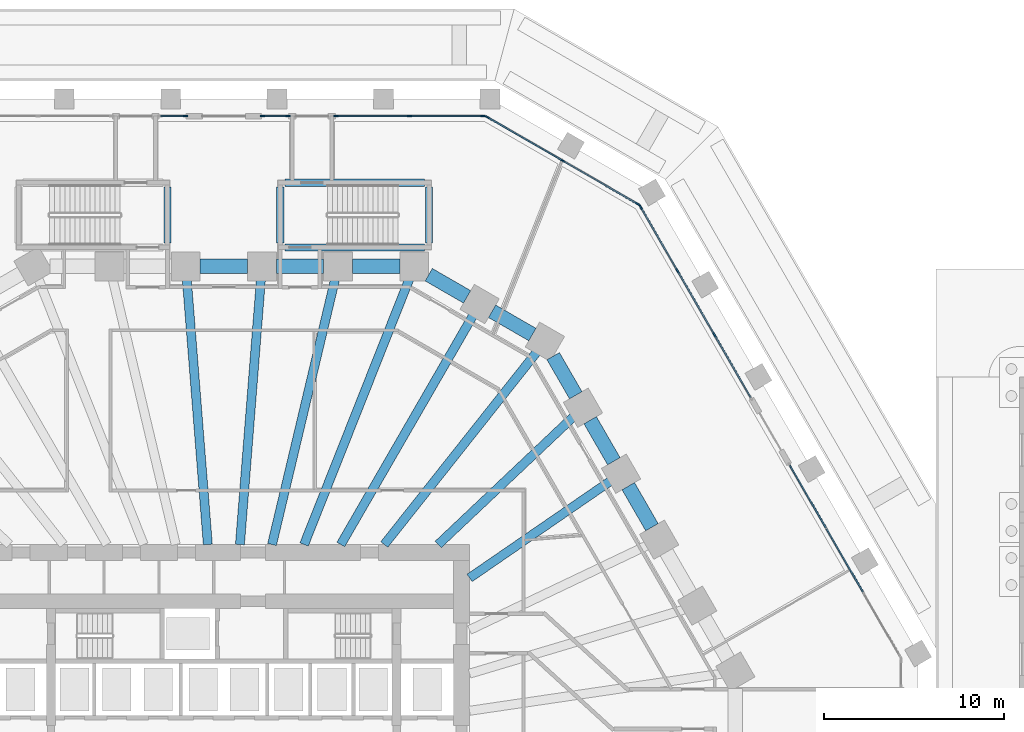
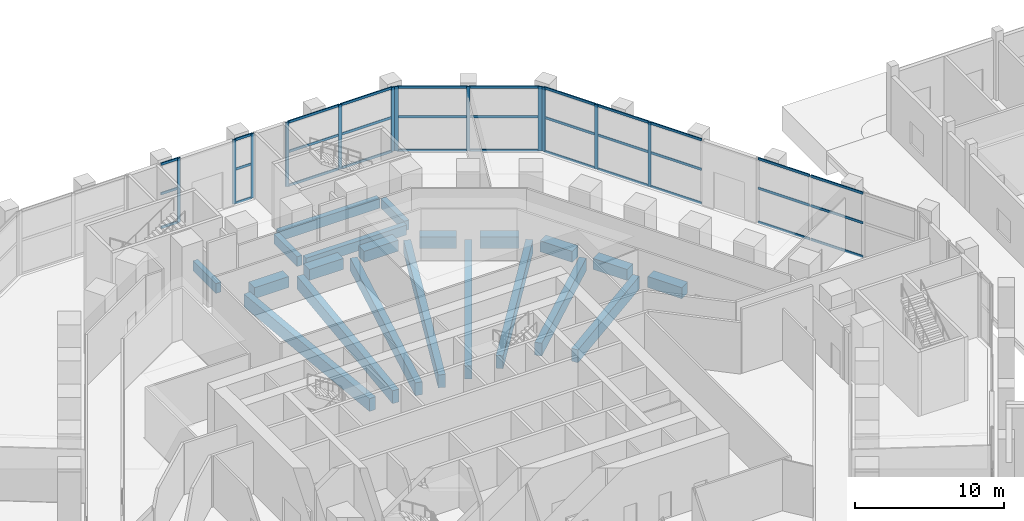
# One storey, part 9 of 44: 45 members, 21 beams, 6 elements without a shape of their own.
"""IFC4 building model written with IfcOpenShell, lengths in metres."""

from ifc_helpers import new_model, si_unit, direction, frame, origin, origin_2d, place, context, subcontext, project, spatial, rectangle, extrude, material, material_profile, profile_set, type_object, element, aggregate, save


model = new_model("IFC4")

# Units and contexts
model_context = context("Model", 3, precision=1e-05, world=origin(), true_north=direction((0.0, 1.0)))
body_context = subcontext(model_context, "Body", "Model", "MODEL_VIEW")
ifc_project = project(units=[si_unit("LENGTHUNIT", "METRE"), si_unit("AREAUNIT", "SQUARE_METRE"), si_unit("VOLUMEUNIT", "CUBIC_METRE"), si_unit("PLANEANGLEUNIT", "RADIAN"), si_unit("MASSUNIT", "GRAM", prefix="KILO")], contexts=[model_context])

# Site, building, storey
site_placement = place(None, origin())
site = spatial("IfcSite", under=ifc_project, at=site_placement, CompositionType="ELEMENT")
building_placement = place(site_placement, origin())
building = spatial("IfcBuilding", under=site, at=building_placement, Name="Frailejon Research Tower", CompositionType="ELEMENT")
storey_placement = place(building_placement, origin())
storey = spatial("IfcBuildingStorey", under=building, at=storey_placement, Name="L00", CompositionType="ELEMENT", Elevation=0.0)

# Beams
ifc_material_1 = material(Name="Concrete C60/75", Category="concrete")
ifc_material_profile_1 = material_profile(ifc_material_1, rectangle(XDim=0.5, YDim=1.050048828125, at=origin_2d()), Name="Girder 500x1050")
ifc_profile_set_1 = profile_set([ifc_material_profile_1], Name="Concrete C60/75")
beam_type_1 = type_object("IfcBeamType", Name="Girder 500x1050", PredefinedType="BEAM", material=ifc_profile_set_1)
beam_1_placement = place(storey_placement, frame((21.52734375, 14.8125, -0.875), z_axis=(-0.823825821578, -0.566843025626, 0.0), x_axis=(0.566843025626, -0.823825821578, 0.0)))
element("IfcBeam", 1, at=beam_1_placement, inside=storey, type_object=beam_type_1, Name="Girder 500x1050", PredefinedType="BEAM", context=body_context, shape_type="SweptSolid", body=[
    extrude(rectangle(XDim=0.5, YDim=1.050048828125, at=origin_2d()), origin(), (0.0, 0.0, 1.0), 9.56201171875),
])
beam_2_placement = place(storey_placement, frame((19.460205078125, 18.3857421875, -0.875), z_axis=(-0.72688803019, -0.686755991285, 0.0), x_axis=(0.686755991285, -0.72688803019, 0.0)))
element("IfcBeam", 2, at=beam_2_placement, inside=storey, type_object=beam_type_1, Name="Girder 500x1050", PredefinedType="BEAM", context=body_context, shape_type="SweptSolid", body=[
    extrude(rectangle(XDim=0.5, YDim=1.050048828125, at=origin_2d()), origin(), (0.0, 0.0, 1.0), 10.390625),
])
beam_3_placement = place(storey_placement, frame((17.423828125, 21.99609375, -0.875), z_axis=(-0.62092187156, -0.783872457367, 0.0), x_axis=(0.783872457367, -0.62092187156, 0.0)))
element("IfcBeam", 3, at=beam_3_placement, inside=storey, type_object=beam_type_1, Name="Girder 500x1050", PredefinedType="BEAM", context=body_context, shape_type="SweptSolid", body=[
    extrude(rectangle(XDim=0.5, YDim=1.050048828125, at=origin_2d()), origin(), (0.0, 0.0, 1.0), 13.708984375),
])
beam_4_placement = place(storey_placement, frame((13.88134765625, 24.043212890625, -0.875), z_axis=(-0.500003328639, -0.866023481986, 0.0), x_axis=(0.866023481986, -0.500003328639, 0.0)))
element("IfcBeam", 4, at=beam_4_placement, inside=storey, type_object=beam_type_1, Name="Girder 500x1050", PredefinedType="BEAM", context=body_context, shape_type="SweptSolid", body=[
    extrude(rectangle(XDim=0.5, YDim=1.050048828125, at=origin_2d()), origin(), (0.0, 0.0, 1.0), 14.7724609375),
])
beam_5_placement = place(storey_placement, frame((10.318115234375, 26.03955078125, -0.875), z_axis=(-0.368382887996, -0.929674162183, 0.0), x_axis=(0.929674162183, -0.368382887996, 0.0)))
element("IfcBeam", 5, at=beam_5_placement, inside=storey, type_object=beam_type_1, Name="Girder 500x1050", PredefinedType="BEAM", context=body_context, shape_type="SweptSolid", body=[
    extrude(rectangle(XDim=0.5, YDim=1.050048828125, at=origin_2d()), origin(), (0.0, 0.0, 1.0), 15.908203125),
])
beam_6_placement = place(storey_placement, frame((6.1923828125, 26.0458984375, -0.875), z_axis=(-0.23129352639, -0.972884013976, 0.0), x_axis=(0.972884013976, -0.23129352639, 0.0)))
element("IfcBeam", 6, at=beam_6_placement, inside=storey, type_object=beam_type_1, Name="Girder 500x1050", PredefinedType="BEAM", context=body_context, shape_type="SweptSolid", body=[
    extrude(rectangle(XDim=0.5, YDim=1.050048828125, at=origin_2d()), origin(), (0.0, 0.0, 1.0), 15.208251953125),
])
for number, where, z_axis, x_axis, name in (
    (7, (2.064453125, 26.049560546875, -0.875), (-0.079001387797, -0.996874506007, 0.0), (0.996874506007, -0.079001387797, 0.0), "Girder 500x1050"),
    (8, (-2.064453125, 26.049560546875, -0.875), (0.079001387797, -0.996874506007, 0.0), (0.996874506007, 0.079001387797, 0.0), "Girder 500x1050"),
):
    element("IfcBeam", number, at=place(storey_placement, frame(where, z_axis=z_axis, x_axis=x_axis)), inside=storey, type_object=beam_type_1, Name=name, PredefinedType="BEAM", context=body_context, shape_type="SweptSolid", body=[
        extrude(rectangle(XDim=0.5, YDim=1.050048828125, at=origin_2d()), origin(), (0.0, 0.0, 1.0), 14.845947265625),
    ])

# Curtain wall, members
ifc_material_2 = material(Name="Aluminium curtain wall", Category="aluminium")
curtain_wall_type = type_object("IfcCurtainWallType", Name="Lobby atrium curtain wall system", PredefinedType="NOTDEFINED", material=ifc_material_2)
curtain_wall_1_placement = place(storey_placement, origin())
curtain_wall_1 = element("IfcCurtainWall", 9, at=curtain_wall_1_placement, inside=storey, type_object=curtain_wall_type, Name="Curtain wall L00", PredefinedType="NOTDEFINED")
ifc_material_3 = material(Name="Aluminium extrusion", Category="aluminium")
ifc_material_profile_2 = material_profile(ifc_material_3, rectangle(XDim=0.080078125, YDim=0.25, at=origin_2d()), Name="Lobby atrium curtain wall mullion 80x250")
ifc_profile_set_2 = profile_set([ifc_material_profile_2], Name="Aluminium extrusion")
member_type_1 = type_object("IfcMemberType", Name="Lobby atrium curtain wall mullion 80x250", PredefinedType="MULLION", material=ifc_profile_set_2)
member_1_placement = place(storey_placement, frame((27.249267578125, 22.903076171875, 0.0), z_axis=(0.0, 0.0, 1.0), x_axis=(-0.866025541081, -0.499999762196, 0.0)))
member_1 = element("IfcMember", 10, at=member_1_placement, type_object=member_type_1, Name="CW1-004 mullion 2", PredefinedType="MULLION", context=body_context, shape_type="SweptSolid", body=[
    extrude(rectangle(XDim=0.080078125, YDim=0.25, at=origin_2d()), origin(), (0.0, 0.0, 1.0), 5.25),
])
member_2_placement = place(storey_placement, frame((25.194091796875, 26.46240234375, 0.0), z_axis=(0.0, 0.0, 1.0), x_axis=(-0.866025541081, -0.499999762196, 0.0)))
member_2 = element("IfcMember", 11, at=member_2_placement, type_object=member_type_1, Name="CW1-004 mullion 3", PredefinedType="MULLION", context=body_context, shape_type="SweptSolid", body=[
    extrude(rectangle(XDim=0.080078125, YDim=0.25, at=origin_2d()), origin(), (0.0, 0.0, 1.0), 5.25),
])
member_3_placement = place(storey_placement, frame((23.1591796875, 29.987060546875, 0.0), z_axis=(0.0, 0.0, 1.0), x_axis=(-0.866025541081, -0.499999762196, 0.0)))
member_3 = element("IfcMember", 12, at=member_3_placement, type_object=member_type_1, Name="CW1-004 mullion 4", PredefinedType="MULLION", context=body_context, shape_type="SweptSolid", body=[
    extrude(rectangle(XDim=0.080078125, YDim=0.25, at=origin_2d()), origin(), (0.0, 0.0, 1.0), 5.25),
])

curtain_wall_2_placement = place(storey_placement, origin())
curtain_wall_2 = element("IfcCurtainWall", 13, at=curtain_wall_2_placement, inside=storey, type_object=curtain_wall_type, Name="Curtain wall L00", PredefinedType="NOTDEFINED")
member_4_placement = place(storey_placement, frame((22.968017578125, 30.178466796875, 0.0), z_axis=(0.0, 0.0, 1.0), x_axis=(-0.499999874334, -0.866025476338, 0.0)))
member_4 = element("IfcMember", 14, at=member_4_placement, type_object=member_type_1, Name="CW1-005 mullion 1", PredefinedType="MULLION", context=body_context, shape_type="SweptSolid", body=[
    extrude(rectangle(XDim=0.080078125, YDim=0.25, at=origin_2d()), origin(), (0.0, 0.0, 1.0), 5.25),
])
member_5_placement = place(storey_placement, frame((18.8095703125, 32.5791015625, 0.0), z_axis=(0.0, 0.0, 1.0), x_axis=(-0.499999874334, -0.866025476338, 0.0)))
member_5 = element("IfcMember", 15, at=member_5_placement, type_object=member_type_1, Name="CW1-005 mullion 2", PredefinedType="MULLION", context=body_context, shape_type="SweptSolid", body=[
    extrude(rectangle(XDim=0.080078125, YDim=0.25, at=origin_2d()), origin(), (0.0, 0.0, 1.0), 5.25),
])
member_6_placement = place(storey_placement, frame((14.6513671875, 34.97998046875, 0.0), z_axis=(0.0, 0.0, 1.0), x_axis=(-0.499999874334, -0.866025476338, 0.0)))
member_6 = element("IfcMember", 16, at=member_6_placement, type_object=member_type_1, Name="CW1-005 mullion 3", PredefinedType="MULLION", context=body_context, shape_type="SweptSolid", body=[
    extrude(rectangle(XDim=0.080078125, YDim=0.25, at=origin_2d()), origin(), (0.0, 0.0, 1.0), 5.25),
])

curtain_wall_3_placement = place(storey_placement, origin())
curtain_wall_3 = element("IfcCurtainWall", 17, at=curtain_wall_3_placement, inside=storey, type_object=curtain_wall_type, Name="Curtain wall L00", PredefinedType="NOTDEFINED")
member_7_placement = place(storey_placement, frame((14.39013671875, 35.050048828125, 0.0), z_axis=(0.0, 0.0, 1.0), x_axis=(0.0, -1.0, 0.0)))
member_7 = element("IfcMember", 18, at=member_7_placement, type_object=member_type_1, Name="CW1-006 mullion 1", PredefinedType="MULLION", context=body_context, shape_type="SweptSolid", body=[
    extrude(rectangle(XDim=0.080078125, YDim=0.25, at=origin_2d()), origin(), (0.0, 0.0, 1.0), 5.25),
])
member_8_placement = place(storey_placement, frame((10.3134765625, 35.050048828125, 0.0), z_axis=(0.0, 0.0, 1.0), x_axis=(0.0, -1.0, 0.0)))
member_8 = element("IfcMember", 19, at=member_8_placement, type_object=member_type_1, Name="CW1-006 mullion 2", PredefinedType="MULLION", context=body_context, shape_type="SweptSolid", body=[
    extrude(rectangle(XDim=0.080078125, YDim=0.25, at=origin_2d()), origin(), (0.0, 0.0, 1.0), 5.25),
])
member_9_placement = place(storey_placement, frame((6.237060546875, 35.050048828125, 0.0), z_axis=(0.0, 0.0, 1.0), x_axis=(0.0, -1.0, 0.0)))
member_9 = element("IfcMember", 20, at=member_9_placement, type_object=member_type_1, Name="CW1-006 mullion 3", PredefinedType="MULLION", context=body_context, shape_type="SweptSolid", body=[
    extrude(rectangle(XDim=0.080078125, YDim=0.25, at=origin_2d()), origin(), (0.0, 0.0, 1.0), 5.25),
])

curtain_wall_4_placement = place(storey_placement, origin())
curtain_wall_4 = element("IfcCurtainWall", 21, at=curtain_wall_4_placement, inside=storey, type_object=curtain_wall_type, Name="Curtain wall L00", PredefinedType="NOTDEFINED")
member_10_placement = place(storey_placement, frame((3.556884765625, 35.050048828125, 0.0), z_axis=(0.0, 0.0, 1.0), x_axis=(0.0, -1.0, 0.0)))
member_10 = element("IfcMember", 22, at=member_10_placement, type_object=member_type_1, Name="CW1-X02 mullion 1", PredefinedType="MULLION", context=body_context, shape_type="SweptSolid", body=[
    extrude(rectangle(XDim=0.080078125, YDim=0.25, at=origin_2d()), origin(), (0.0, 0.0, 1.0), 5.25),
])
member_11_placement = place(storey_placement, frame((2.139892578125, 35.050048828125, 0.0), z_axis=(0.0, 0.0, 1.0), x_axis=(0.0, -1.0, 0.0)))
member_11 = element("IfcMember", 23, at=member_11_placement, type_object=member_type_1, Name="CW1-X02 mullion 2", PredefinedType="MULLION", context=body_context, shape_type="SweptSolid", body=[
    extrude(rectangle(XDim=0.080078125, YDim=0.25, at=origin_2d()), origin(), (0.0, 0.0, 1.0), 5.25),
])

# Curtain wall, member
curtain_wall_5_placement = place(storey_placement, origin())
curtain_wall_5 = element("IfcCurtainWall", 24, at=curtain_wall_5_placement, inside=storey, type_object=curtain_wall_type, Name="Curtain wall L00", PredefinedType="NOTDEFINED")
member_12_placement = place(storey_placement, frame((-2.139892578125, 35.050048828125, 0.0), z_axis=(0.0, 0.0, 1.0), x_axis=(0.0, -1.0, 0.0)))
member_12 = element("IfcMember", 25, at=member_12_placement, type_object=member_type_1, Name="CW1-007 mullion 1", PredefinedType="MULLION", context=body_context, shape_type="SweptSolid", body=[
    extrude(rectangle(XDim=0.080078125, YDim=0.25, at=origin_2d()), origin(), (0.0, 0.0, 1.0), 5.25),
])

# Curtain wall, members
curtain_wall_6_placement = place(storey_placement, origin())
curtain_wall_6 = element("IfcCurtainWall", 26, at=curtain_wall_6_placement, inside=storey, type_object=curtain_wall_type, Name="Curtain wall L00", PredefinedType="NOTDEFINED")
ifc_material_4 = material(Name="Aluminium extrusion", Category="aluminium")
ifc_material_profile_3 = material_profile(ifc_material_4, rectangle(XDim=0.080078125, YDim=0.199951171875, at=origin_2d()), Name="Lobby atrium curtain wall transom 80x200")
ifc_profile_set_3 = profile_set([ifc_material_profile_3], Name="Aluminium extrusion")
member_type_2 = type_object("IfcMemberType", Name="Lobby atrium curtain wall transom 80x200", PredefinedType="USERDEFINED", material=ifc_profile_set_3)
member_13_placement = place(storey_placement, frame((35.494140625, 8.622314453125, 0.0400390625), z_axis=(-0.499989908473, 0.866031230052, 0.0), x_axis=(-0.866031230052, -0.499989908473, 0.0)))
member_13 = element("IfcMember", 27, at=member_13_placement, type_object=member_type_2, Name="CW1-003 transom 2.1", ObjectType="TRANSOM", PredefinedType="USERDEFINED", context=body_context, shape_type="SweptSolid", body=[
    extrude(rectangle(XDim=0.080078125, YDim=0.199951171875, at=origin_2d()), origin(), (0.0, 0.0, 1.0), 4.02978515625),
])
member_14_placement = place(storey_placement, frame((35.494140625, 8.622314453125, 2.800048828125), z_axis=(-0.499989908473, 0.866031230052, 0.0), x_axis=(-0.866031230052, -0.499989908473, 0.0)))
member_14 = element("IfcMember", 28, at=member_14_placement, type_object=member_type_2, Name="CW1-003 transom 2.2", ObjectType="TRANSOM", PredefinedType="USERDEFINED", context=body_context, shape_type="SweptSolid", body=[
    extrude(rectangle(XDim=0.080078125, YDim=0.199951171875, at=origin_2d()), origin(), (0.0, 0.0, 1.0), 4.02978515625),
])
member_15_placement = place(storey_placement, frame((35.494140625, 8.622314453125, 5.2099609375), z_axis=(-0.499989908473, 0.866031230052, 0.0), x_axis=(-0.866031230052, -0.499989908473, 0.0)))
member_15 = element("IfcMember", 29, at=member_15_placement, type_object=member_type_2, Name="CW1-003 transom 2.3", ObjectType="TRANSOM", PredefinedType="USERDEFINED", context=body_context, shape_type="SweptSolid", body=[
    extrude(rectangle(XDim=0.080078125, YDim=0.199951171875, at=origin_2d()), origin(), (0.0, 0.0, 1.0), 4.02978515625),
])
member_16_placement = place(storey_placement, frame((33.439208984375, 12.181640625, 0.0400390625), z_axis=(-0.500034952484, 0.866005223018, 0.0), x_axis=(-0.866005223018, -0.500034952484, 0.0)))
member_16 = element("IfcMember", 30, at=member_16_placement, type_object=member_type_2, Name="CW1-003 transom 3.1", ObjectType="TRANSOM", PredefinedType="USERDEFINED", context=body_context, shape_type="SweptSolid", body=[
    extrude(rectangle(XDim=0.080078125, YDim=0.199951171875, at=origin_2d()), origin(), (0.0, 0.0, 1.0), 3.989990234375),
])
member_17_placement = place(storey_placement, frame((33.439208984375, 12.181640625, 2.800048828125), z_axis=(-0.500034952484, 0.866005223018, 0.0), x_axis=(-0.866005223018, -0.500034952484, 0.0)))
member_17 = element("IfcMember", 31, at=member_17_placement, type_object=member_type_2, Name="CW1-003 transom 3.2", ObjectType="TRANSOM", PredefinedType="USERDEFINED", context=body_context, shape_type="SweptSolid", body=[
    extrude(rectangle(XDim=0.080078125, YDim=0.199951171875, at=origin_2d()), origin(), (0.0, 0.0, 1.0), 3.989990234375),
])
member_18_placement = place(storey_placement, frame((33.439208984375, 12.181640625, 5.2099609375), z_axis=(-0.500034952484, 0.866005223018, 0.0), x_axis=(-0.866005223018, -0.500034952484, 0.0)))
member_18 = element("IfcMember", 32, at=member_18_placement, type_object=member_type_2, Name="CW1-003 transom 3.3", ObjectType="TRANSOM", PredefinedType="USERDEFINED", context=body_context, shape_type="SweptSolid", body=[
    extrude(rectangle(XDim=0.080078125, YDim=0.199951171875, at=origin_2d()), origin(), (0.0, 0.0, 1.0), 3.989990234375),
])
aggregate(curtain_wall_6, [member_13, member_14, member_15, member_16, member_17, member_18])

# Member
member_19_placement = place(storey_placement, frame((29.26416015625, 19.4130859375, 0.0400390625), z_axis=(-0.499989060909, 0.866031719379, 0.0), x_axis=(-0.866031719379, -0.499989060909, 0.0)))
member_19 = element("IfcMember", 33, at=member_19_placement, type_object=member_type_2, Name="CW1-004 transom 1.1", ObjectType="TRANSOM", PredefinedType="USERDEFINED", context=body_context, shape_type="SweptSolid", body=[
    extrude(rectangle(XDim=0.080078125, YDim=0.199951171875, at=origin_2d()), origin(), (0.0, 0.0, 1.0), 3.98974609375),
])

member_20_placement = place(storey_placement, frame((29.26416015625, 19.4130859375, 2.800048828125), z_axis=(-0.499989060909, 0.866031719379, 0.0), x_axis=(-0.866031719379, -0.499989060909, 0.0)))
member_20 = element("IfcMember", 34, at=member_20_placement, type_object=member_type_2, Name="CW1-004 transom 1.2", ObjectType="TRANSOM", PredefinedType="USERDEFINED", context=body_context, shape_type="SweptSolid", body=[
    extrude(rectangle(XDim=0.080078125, YDim=0.199951171875, at=origin_2d()), origin(), (0.0, 0.0, 1.0), 3.98974609375),
])

member_21_placement = place(storey_placement, frame((29.26416015625, 19.4130859375, 5.2099609375), z_axis=(-0.499989060909, 0.866031719379, 0.0), x_axis=(-0.866031719379, -0.499989060909, 0.0)))
member_21 = element("IfcMember", 35, at=member_21_placement, type_object=member_type_2, Name="CW1-004 transom 1.3", ObjectType="TRANSOM", PredefinedType="USERDEFINED", context=body_context, shape_type="SweptSolid", body=[
    extrude(rectangle(XDim=0.080078125, YDim=0.199951171875, at=origin_2d()), origin(), (0.0, 0.0, 1.0), 3.98974609375),
])

member_22_placement = place(storey_placement, frame((27.229248046875, 22.937744140625, 0.0400390625), z_axis=(-0.500035344125, 0.866004996883, 0.0), x_axis=(-0.866004996883, -0.500035344125, 0.0)))
member_22 = element("IfcMember", 36, at=member_22_placement, type_object=member_type_2, Name="CW1-004 transom 2.1", ObjectType="TRANSOM", PredefinedType="USERDEFINED", context=body_context, shape_type="SweptSolid", body=[
    extrude(rectangle(XDim=0.080078125, YDim=0.199951171875, at=origin_2d()), origin(), (0.0, 0.0, 1.0), 4.030029296875),
])

member_23_placement = place(storey_placement, frame((27.229248046875, 22.937744140625, 2.800048828125), z_axis=(-0.500035344125, 0.866004996883, 0.0), x_axis=(-0.866004996883, -0.500035344125, 0.0)))
member_23 = element("IfcMember", 37, at=member_23_placement, type_object=member_type_2, Name="CW1-004 transom 2.2", ObjectType="TRANSOM", PredefinedType="USERDEFINED", context=body_context, shape_type="SweptSolid", body=[
    extrude(rectangle(XDim=0.080078125, YDim=0.199951171875, at=origin_2d()), origin(), (0.0, 0.0, 1.0), 4.030029296875),
])

member_24_placement = place(storey_placement, frame((27.229248046875, 22.937744140625, 5.2099609375), z_axis=(-0.500035344125, 0.866004996883, 0.0), x_axis=(-0.866004996883, -0.500035344125, 0.0)))
member_24 = element("IfcMember", 38, at=member_24_placement, type_object=member_type_2, Name="CW1-004 transom 2.3", ObjectType="TRANSOM", PredefinedType="USERDEFINED", context=body_context, shape_type="SweptSolid", body=[
    extrude(rectangle(XDim=0.080078125, YDim=0.199951171875, at=origin_2d()), origin(), (0.0, 0.0, 1.0), 4.030029296875),
])

member_25_placement = place(storey_placement, frame((25.17431640625, 26.4970703125, 0.0400390625), z_axis=(-0.500008456887, 0.866020521143, 0.0), x_axis=(-0.866020521143, -0.500008456887, 0.0)))
member_25 = element("IfcMember", 39, at=member_25_placement, type_object=member_type_2, Name="CW1-004 transom 3.1", ObjectType="TRANSOM", PredefinedType="USERDEFINED", context=body_context, shape_type="SweptSolid", body=[
    extrude(rectangle(XDim=0.080078125, YDim=0.199951171875, at=origin_2d()), origin(), (0.0, 0.0, 1.0), 3.990234375),
])

member_26_placement = place(storey_placement, frame((25.17431640625, 26.4970703125, 2.800048828125), z_axis=(-0.500008456887, 0.866020521143, 0.0), x_axis=(-0.866020521143, -0.500008456887, 0.0)))
member_26 = element("IfcMember", 40, at=member_26_placement, type_object=member_type_2, Name="CW1-004 transom 3.2", ObjectType="TRANSOM", PredefinedType="USERDEFINED", context=body_context, shape_type="SweptSolid", body=[
    extrude(rectangle(XDim=0.080078125, YDim=0.199951171875, at=origin_2d()), origin(), (0.0, 0.0, 1.0), 3.990234375),
])

member_27_placement = place(storey_placement, frame((25.17431640625, 26.4970703125, 5.2099609375), z_axis=(-0.500008456887, 0.866020521143, 0.0), x_axis=(-0.866020521143, -0.500008456887, 0.0)))
member_27 = element("IfcMember", 41, at=member_27_placement, type_object=member_type_2, Name="CW1-004 transom 3.3", ObjectType="TRANSOM", PredefinedType="USERDEFINED", context=body_context, shape_type="SweptSolid", body=[
    extrude(rectangle(XDim=0.080078125, YDim=0.199951171875, at=origin_2d()), origin(), (0.0, 0.0, 1.0), 3.990234375),
])

aggregate(curtain_wall_1, [member_1, member_2, member_3, member_19, member_20, member_21, member_22, member_23, member_24, member_25, member_26, member_27])

member_28_placement = place(storey_placement, frame((22.933349609375, 30.198486328125, 0.0400390625), z_axis=(-0.866048680801, 0.499959680857, 0.0), x_axis=(-0.499959680857, -0.866048680801, 0.0)))
member_28 = element("IfcMember", 42, at=member_28_placement, type_object=member_type_2, Name="CW1-005 transom 1.1", ObjectType="TRANSOM", PredefinedType="USERDEFINED", context=body_context, shape_type="SweptSolid", body=[
    extrude(rectangle(XDim=0.080078125, YDim=0.199951171875, at=origin_2d()), origin(), (0.0, 0.0, 1.0), 4.7216796875),
])

member_29_placement = place(storey_placement, frame((22.933349609375, 30.198486328125, 2.800048828125), z_axis=(-0.866048680801, 0.499959680857, 0.0), x_axis=(-0.499959680857, -0.866048680801, 0.0)))
member_29 = element("IfcMember", 43, at=member_29_placement, type_object=member_type_2, Name="CW1-005 transom 1.2", ObjectType="TRANSOM", PredefinedType="USERDEFINED", context=body_context, shape_type="SweptSolid", body=[
    extrude(rectangle(XDim=0.080078125, YDim=0.199951171875, at=origin_2d()), origin(), (0.0, 0.0, 1.0), 4.7216796875),
])

member_30_placement = place(storey_placement, frame((22.933349609375, 30.198486328125, 5.2099609375), z_axis=(-0.866048680801, 0.499959680857, 0.0), x_axis=(-0.499959680857, -0.866048680801, 0.0)))
member_30 = element("IfcMember", 44, at=member_30_placement, type_object=member_type_2, Name="CW1-005 transom 1.3", ObjectType="TRANSOM", PredefinedType="USERDEFINED", context=body_context, shape_type="SweptSolid", body=[
    extrude(rectangle(XDim=0.080078125, YDim=0.199951171875, at=origin_2d()), origin(), (0.0, 0.0, 1.0), 4.7216796875),
])

member_31_placement = place(storey_placement, frame((18.77490234375, 32.59912109375, 0.0400390625), z_axis=(-0.866013364391, 0.500020852261, 0.0), x_axis=(-0.500020852261, -0.866013364391, 0.0)))
member_31 = element("IfcMember", 45, at=member_31_placement, type_object=member_type_2, Name="CW1-005 transom 2.1", ObjectType="TRANSOM", PredefinedType="USERDEFINED", context=body_context, shape_type="SweptSolid", body=[
    extrude(rectangle(XDim=0.080078125, YDim=0.199951171875, at=origin_2d()), origin(), (0.0, 0.0, 1.0), 4.721435546875),
])

member_32_placement = place(storey_placement, frame((18.77490234375, 32.59912109375, 2.800048828125), z_axis=(-0.866013364391, 0.500020852261, 0.0), x_axis=(-0.500020852261, -0.866013364391, 0.0)))
member_32 = element("IfcMember", 46, at=member_32_placement, type_object=member_type_2, Name="CW1-005 transom 2.2", ObjectType="TRANSOM", PredefinedType="USERDEFINED", context=body_context, shape_type="SweptSolid", body=[
    extrude(rectangle(XDim=0.080078125, YDim=0.199951171875, at=origin_2d()), origin(), (0.0, 0.0, 1.0), 4.721435546875),
])

member_33_placement = place(storey_placement, frame((18.77490234375, 32.59912109375, 5.2099609375), z_axis=(-0.866013364391, 0.500020852261, 0.0), x_axis=(-0.500020852261, -0.866013364391, 0.0)))
member_33 = element("IfcMember", 47, at=member_33_placement, type_object=member_type_2, Name="CW1-005 transom 2.3", ObjectType="TRANSOM", PredefinedType="USERDEFINED", context=body_context, shape_type="SweptSolid", body=[
    extrude(rectangle(XDim=0.080078125, YDim=0.199951171875, at=origin_2d()), origin(), (0.0, 0.0, 1.0), 4.721435546875),
])

aggregate(curtain_wall_2, [member_4, member_5, member_6, member_28, member_29, member_30, member_31, member_32, member_33])

member_34_placement = place(storey_placement, frame((14.35009765625, 35.050048828125, 0.0400390625), z_axis=(-1.0, 0.0, 0.0), x_axis=(0.0, -1.0, 0.0)))
member_34 = element("IfcMember", 48, at=member_34_placement, type_object=member_type_2, Name="CW1-006 transom 1.1", ObjectType="TRANSOM", PredefinedType="USERDEFINED", context=body_context, shape_type="SweptSolid", body=[
    extrude(rectangle(XDim=0.080078125, YDim=0.199951171875, at=origin_2d()), origin(), (0.0, 0.0, 1.0), 3.99658203125),
])

member_35_placement = place(storey_placement, frame((14.35009765625, 35.050048828125, 2.800048828125), z_axis=(-1.0, 0.0, 0.0), x_axis=(0.0, -1.0, 0.0)))
member_35 = element("IfcMember", 49, at=member_35_placement, type_object=member_type_2, Name="CW1-006 transom 1.2", ObjectType="TRANSOM", PredefinedType="USERDEFINED", context=body_context, shape_type="SweptSolid", body=[
    extrude(rectangle(XDim=0.080078125, YDim=0.199951171875, at=origin_2d()), origin(), (0.0, 0.0, 1.0), 3.99658203125),
])

member_36_placement = place(storey_placement, frame((14.35009765625, 35.050048828125, 5.2099609375), z_axis=(-1.0, 0.0, 0.0), x_axis=(0.0, -1.0, 0.0)))
member_36 = element("IfcMember", 50, at=member_36_placement, type_object=member_type_2, Name="CW1-006 transom 1.3", ObjectType="TRANSOM", PredefinedType="USERDEFINED", context=body_context, shape_type="SweptSolid", body=[
    extrude(rectangle(XDim=0.080078125, YDim=0.199951171875, at=origin_2d()), origin(), (0.0, 0.0, 1.0), 3.99658203125),
])

member_37_placement = place(storey_placement, frame((10.2734375, 35.050048828125, 0.0400390625), z_axis=(-1.0, 0.0, 0.0), x_axis=(0.0, -1.0, 0.0)))
member_37 = element("IfcMember", 51, at=member_37_placement, type_object=member_type_2, Name="CW1-006 transom 2.1", ObjectType="TRANSOM", PredefinedType="USERDEFINED", context=body_context, shape_type="SweptSolid", body=[
    extrude(rectangle(XDim=0.080078125, YDim=0.199951171875, at=origin_2d()), origin(), (0.0, 0.0, 1.0), 3.996337890625),
])

member_38_placement = place(storey_placement, frame((10.2734375, 35.050048828125, 2.800048828125), z_axis=(-1.0, 0.0, 0.0), x_axis=(0.0, -1.0, 0.0)))
member_38 = element("IfcMember", 52, at=member_38_placement, type_object=member_type_2, Name="CW1-006 transom 2.2", ObjectType="TRANSOM", PredefinedType="USERDEFINED", context=body_context, shape_type="SweptSolid", body=[
    extrude(rectangle(XDim=0.080078125, YDim=0.199951171875, at=origin_2d()), origin(), (0.0, 0.0, 1.0), 3.996337890625),
])

member_39_placement = place(storey_placement, frame((10.2734375, 35.050048828125, 5.2099609375), z_axis=(-1.0, 0.0, 0.0), x_axis=(0.0, -1.0, 0.0)))
member_39 = element("IfcMember", 53, at=member_39_placement, type_object=member_type_2, Name="CW1-006 transom 2.3", ObjectType="TRANSOM", PredefinedType="USERDEFINED", context=body_context, shape_type="SweptSolid", body=[
    extrude(rectangle(XDim=0.080078125, YDim=0.199951171875, at=origin_2d()), origin(), (0.0, 0.0, 1.0), 3.996337890625),
])

aggregate(curtain_wall_3, [member_7, member_8, member_9, member_34, member_35, member_36, member_37, member_38, member_39])

member_40_placement = place(storey_placement, frame((3.51708984375, 35.050048828125, 0.0400390625), z_axis=(-1.0, 0.0, 0.0), x_axis=(0.0, -1.0, 0.0)))
member_40 = element("IfcMember", 54, at=member_40_placement, type_object=member_type_2, Name="CW1-X02 transom 1.1", ObjectType="TRANSOM", PredefinedType="USERDEFINED", context=body_context, shape_type="SweptSolid", body=[
    extrude(rectangle(XDim=0.080078125, YDim=0.199951171875, at=origin_2d()), origin(), (0.0, 0.0, 1.0), 1.337158203125),
])

member_41_placement = place(storey_placement, frame((3.51708984375, 35.050048828125, 2.800048828125), z_axis=(-1.0, 0.0, 0.0), x_axis=(0.0, -1.0, 0.0)))
member_41 = element("IfcMember", 55, at=member_41_placement, type_object=member_type_2, Name="CW1-X02 transom 1.2", ObjectType="TRANSOM", PredefinedType="USERDEFINED", context=body_context, shape_type="SweptSolid", body=[
    extrude(rectangle(XDim=0.080078125, YDim=0.199951171875, at=origin_2d()), origin(), (0.0, 0.0, 1.0), 1.337158203125),
])

member_42_placement = place(storey_placement, frame((3.51708984375, 35.050048828125, 5.2099609375), z_axis=(-1.0, 0.0, 0.0), x_axis=(0.0, -1.0, 0.0)))
member_42 = element("IfcMember", 56, at=member_42_placement, type_object=member_type_2, Name="CW1-X02 transom 1.3", ObjectType="TRANSOM", PredefinedType="USERDEFINED", context=body_context, shape_type="SweptSolid", body=[
    extrude(rectangle(XDim=0.080078125, YDim=0.199951171875, at=origin_2d()), origin(), (0.0, 0.0, 1.0), 1.337158203125),
])

aggregate(curtain_wall_4, [member_10, member_11, member_40, member_41, member_42])

member_43_placement = place(storey_placement, frame((-2.179931640625, 35.050048828125, 0.0400390625), z_axis=(-1.0, 0.0, 0.0), x_axis=(0.0, -1.0, 0.0)))
member_43 = element("IfcMember", 57, at=member_43_placement, type_object=member_type_2, Name="CW1-007 transom 1.1", ObjectType="TRANSOM", PredefinedType="USERDEFINED", context=body_context, shape_type="SweptSolid", body=[
    extrude(rectangle(XDim=0.080078125, YDim=0.199951171875, at=origin_2d()), origin(), (0.0, 0.0, 1.0), 1.3369140625),
])

member_44_placement = place(storey_placement, frame((-2.179931640625, 35.050048828125, 2.800048828125), z_axis=(-1.0, 0.0, 0.0), x_axis=(0.0, -1.0, 0.0)))
member_44 = element("IfcMember", 58, at=member_44_placement, type_object=member_type_2, Name="CW1-007 transom 1.2", ObjectType="TRANSOM", PredefinedType="USERDEFINED", context=body_context, shape_type="SweptSolid", body=[
    extrude(rectangle(XDim=0.080078125, YDim=0.199951171875, at=origin_2d()), origin(), (0.0, 0.0, 1.0), 1.3369140625),
])

member_45_placement = place(storey_placement, frame((-2.179931640625, 35.050048828125, 5.2099609375), z_axis=(-1.0, 0.0, 0.0), x_axis=(0.0, -1.0, 0.0)))
member_45 = element("IfcMember", 59, at=member_45_placement, type_object=member_type_2, Name="CW1-007 transom 1.3", ObjectType="TRANSOM", PredefinedType="USERDEFINED", context=body_context, shape_type="SweptSolid", body=[
    extrude(rectangle(XDim=0.080078125, YDim=0.199951171875, at=origin_2d()), origin(), (0.0, 0.0, 1.0), 1.3369140625),
])

aggregate(curtain_wall_5, [member_12, member_43, member_44, member_45])

# Beams
ifc_material_5 = material(Name="Concrete C60/75", Category="concrete")
ifc_material_profile_4 = material_profile(ifc_material_5, rectangle(XDim=0.800048828125, YDim=0.89990234375, at=origin_2d()), Name="Podium ring beam")
ifc_profile_set_4 = profile_set([ifc_material_profile_4], Name="Concrete C60/75")
beam_type_2 = type_object("IfcBeamType", Name="Podium ring beam", PredefinedType="BEAM", material=ifc_profile_set_4)
beam_7_placement = place(storey_placement, frame((23.781005859375, 12.210205078125, -0.800048828125), z_axis=(-0.500019514865, 0.866014136579, 0.0), x_axis=(-0.866014136579, -0.500019514865, 0.0)))
element("IfcBeam", 60, at=beam_7_placement, inside=storey, type_object=beam_type_2, Name="Podium ring beam", PredefinedType="BEAM", context=body_context, shape_type="SweptSolid", body=[
    extrude(rectangle(XDim=0.800048828125, YDim=0.89990234375, at=origin_2d()), origin(), (0.0, 0.0, 1.0), 2.63232421875),
])
beam_8_placement = place(storey_placement, frame((21.664794921875, 15.875244140625, -0.800048828125), z_axis=(-0.499949948743, 0.866054298963, 0.0), x_axis=(-0.866054298963, -0.499949948743, 0.0)))
element("IfcBeam", 61, at=beam_8_placement, inside=storey, type_object=beam_type_2, Name="Podium ring beam", PredefinedType="BEAM", context=body_context, shape_type="SweptSolid", body=[
    extrude(rectangle(XDim=0.800048828125, YDim=0.89990234375, at=origin_2d()), origin(), (0.0, 0.0, 1.0), 2.632080078125),
])
beam_9_placement = place(storey_placement, frame((19.548828125, 19.540283203125, -0.800048828125), z_axis=(-0.499949964382, 0.866054289935, 0.0), x_axis=(-0.866054289935, -0.499949964382, 0.0)))
element("IfcBeam", 62, at=beam_9_placement, inside=storey, type_object=beam_type_2, Name="Podium ring beam", PredefinedType="BEAM", context=body_context, shape_type="SweptSolid", body=[
    extrude(rectangle(XDim=0.800048828125, YDim=0.89990234375, at=origin_2d()), origin(), (0.0, 0.0, 1.0), 2.508056640625),
])
beam_10_placement = place(storey_placement, frame((17.14013671875, 22.912353515625, -0.800048828125), z_axis=(-0.866004899711, 0.500035512416, 0.0), x_axis=(-0.500035512416, -0.866004899711, 0.0)))
element("IfcBeam", 63, at=beam_10_placement, inside=storey, type_object=beam_type_2, Name="Podium ring beam", PredefinedType="BEAM", context=body_context, shape_type="SweptSolid", body=[
    extrude(rectangle(XDim=0.800048828125, YDim=0.89990234375, at=origin_2d()), origin(), (0.0, 0.0, 1.0), 2.587646484375),
])
beam_11_placement = place(storey_placement, frame((13.513671875, 25.006103515625, -0.800048828125), z_axis=(-0.86602717807, 0.499996926835, 0.0), x_axis=(-0.499996926835, -0.86602717807, 0.0)))
element("IfcBeam", 64, at=beam_11_placement, inside=storey, type_object=beam_type_2, Name="Podium ring beam", PredefinedType="BEAM", context=body_context, shape_type="SweptSolid", body=[
    extrude(rectangle(XDim=0.800048828125, YDim=0.89990234375, at=origin_2d()), origin(), (0.0, 0.0, 1.0), 2.4638671875),
])
for number, where, z_axis, x_axis, name in (
    (65, (9.77978515625, 26.699951171875, -0.800048828125), (-1.0, 0.0, 0.0), (0.0, -1.0, 0.0), "Podium ring beam"),
    (66, (5.5478515625, 26.699951171875, -0.800048828125), (-1.0, 0.0, 0.0), (0.0, -1.0, 0.0), "Podium ring beam"),
    (67, (1.31591796875, 26.699951171875, -0.800048828125), (-1.0, 0.0, 0.0), (0.0, -1.0, 0.0), "Podium ring beam"),
):
    element("IfcBeam", number, at=place(storey_placement, frame(where, z_axis=z_axis, x_axis=x_axis)), inside=storey, type_object=beam_type_2, Name=name, PredefinedType="BEAM", context=body_context, shape_type="SweptSolid", body=[
        extrude(rectangle(XDim=0.800048828125, YDim=0.89990234375, at=origin_2d()), origin(), (0.0, 0.0, 1.0), 2.6318359375),
    ])
ifc_material_6 = material(Name="Concrete C60/75", Category="concrete")
ifc_material_profile_5 = material_profile(ifc_material_6, rectangle(XDim=0.39990234375, YDim=0.800048828125, at=origin_2d()), Name="Stair box transfer beam 400x800")
ifc_profile_set_5 = profile_set([ifc_material_profile_5], Name="Concrete C60/75")
beam_type_3 = type_object("IfcBeamType", Name="Stair box transfer beam 400x800", PredefinedType="BEAM", material=ifc_profile_set_5)
beam_12_placement = place(storey_placement, frame((-3.132080078125, 31.10009765625, -0.75), z_axis=(0.0, -1.0, 0.0), x_axis=(1.0, 0.0, 0.0)))
element("IfcBeam", 68, at=beam_12_placement, inside=storey, type_object=beam_type_3, Name="PS1 box transfer beam 4", PredefinedType="BEAM", context=body_context, shape_type="SweptSolid", body=[
    extrude(rectangle(XDim=0.39990234375, YDim=0.800048828125, at=origin_2d()), origin(), (0.0, 0.0, 1.0), 3.10009765625),
])
beam_13_placement = place(storey_placement, frame((3.382080078125, 27.75, -0.75), z_axis=(1.0, 0.0, 0.0), x_axis=(0.0, 1.0, 0.0)))
element("IfcBeam", 69, at=beam_13_placement, inside=storey, type_object=beam_type_3, Name="PS2 box transfer beam 1", PredefinedType="BEAM", context=body_context, shape_type="SweptSolid", body=[
    extrude(rectangle(XDim=0.39990234375, YDim=0.800048828125, at=origin_2d()), origin(), (0.0, 0.0, 1.0), 7.769775390625),
])
beam_14_placement = place(storey_placement, frame((11.40185546875, 28.0, -0.75), z_axis=(0.0, 1.0, 0.0), x_axis=(-1.0, 0.0, 0.0)))
element("IfcBeam", 70, at=beam_14_placement, inside=storey, type_object=beam_type_3, Name="PS2 box transfer beam 2", PredefinedType="BEAM", context=body_context, shape_type="SweptSolid", body=[
    extrude(rectangle(XDim=0.39990234375, YDim=0.800048828125, at=origin_2d()), origin(), (0.0, 0.0, 1.0), 3.10009765625),
])
beam_15_placement = place(storey_placement, frame((11.15185546875, 31.35009765625, -0.75), z_axis=(-1.0, 0.0, 0.0), x_axis=(0.0, -1.0, 0.0)))
element("IfcBeam", 71, at=beam_15_placement, inside=storey, type_object=beam_type_3, Name="PS2 box transfer beam 3", PredefinedType="BEAM", context=body_context, shape_type="SweptSolid", body=[
    extrude(rectangle(XDim=0.39990234375, YDim=0.800048828125, at=origin_2d()), origin(), (0.0, 0.0, 1.0), 7.769775390625),
])
beam_16_placement = place(storey_placement, frame((3.132080078125, 31.10009765625, -0.75), z_axis=(0.0, -1.0, 0.0), x_axis=(1.0, 0.0, 0.0)))
element("IfcBeam", 72, at=beam_16_placement, inside=storey, type_object=beam_type_3, Name="PS2 box transfer beam 4", PredefinedType="BEAM", context=body_context, shape_type="SweptSolid", body=[
    extrude(rectangle(XDim=0.39990234375, YDim=0.800048828125, at=origin_2d()), origin(), (0.0, 0.0, 1.0), 3.10009765625),
])

save(model, "model.ifc")
